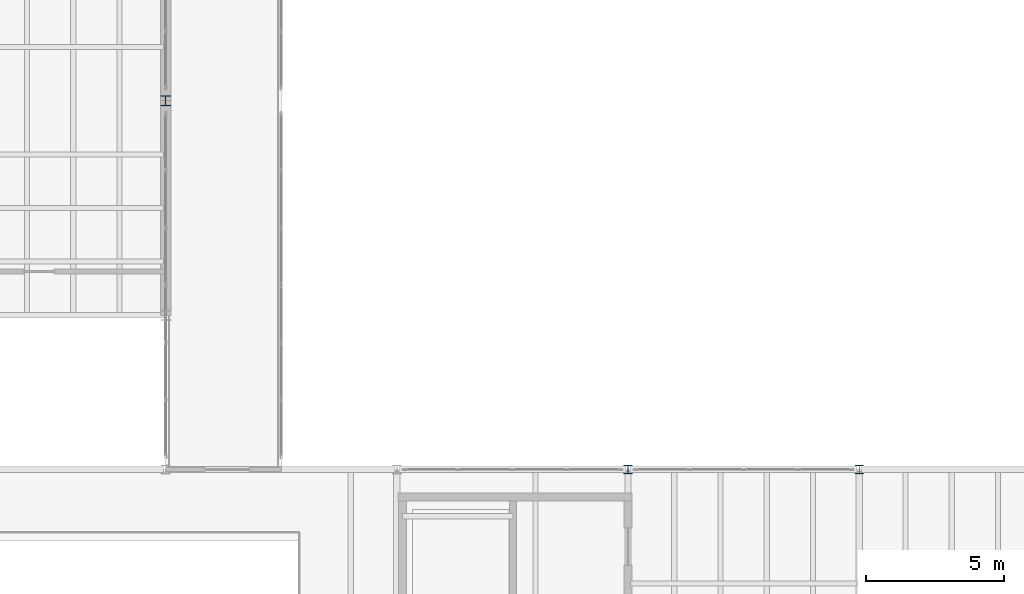
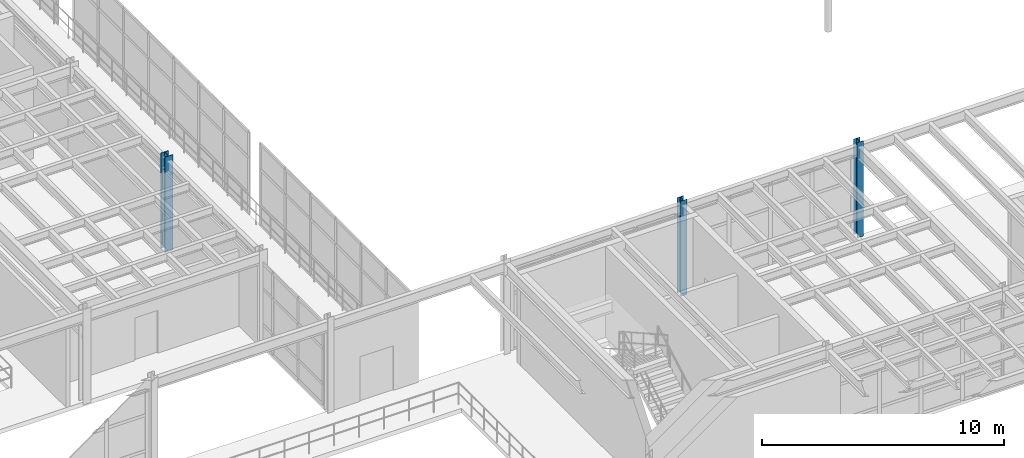
# One storey, part 7 of 116: 3 columns.
"""IFC4 building model written with IfcOpenShell, lengths in metres."""

from ifc_helpers import new_model, si_unit, direction, frame, origin, origin_2d, place, context, subcontext, project, spatial, i_section, extrude, material, material_profile, profile_set, type_object, element, save


model = new_model("IFC4")

# Units and contexts
model_context = context("Model", 3, precision=1e-05, world=origin(), true_north=direction((0.0, 1.0)))
body_context = subcontext(model_context, "Body", "Model", "MODEL_VIEW")
ifc_project = project(units=[si_unit("LENGTHUNIT", "METRE"), si_unit("AREAUNIT", "SQUARE_METRE"), si_unit("VOLUMEUNIT", "CUBIC_METRE"), si_unit("PLANEANGLEUNIT", "RADIAN"), si_unit("MASSUNIT", "GRAM", prefix="KILO")], contexts=[model_context])

# Site, building, storey
site_placement = place(None, origin())
site = spatial("IfcSite", under=ifc_project, at=site_placement, CompositionType="ELEMENT")
building_placement = place(site_placement, origin())
building = spatial("IfcBuilding", under=site, at=building_placement, Name="Selat Folded Stagehouse", CompositionType="ELEMENT")
storey_placement = place(building_placement, frame((0.0, 0.0, 5.39990234375)))
storey = spatial("IfcBuildingStorey", under=building, at=storey_placement, Name="L01", CompositionType="ELEMENT", Elevation=5.39990234375)

# Columns
ifc_material = material(Name="Steel S355", Category="steel")
ifc_material_profile_1 = material_profile(ifc_material, i_section(OverallWidth=0.305419921875, OverallDepth=0.307861328125, WebThickness=0.010009765625, FlangeThickness=0.015380859375, FilletRadius=0.01513671875, at=origin_2d()), Name="UKC 305x305x97")
ifc_profile_set_1 = profile_set([ifc_material_profile_1], Name="Steel S355")
column_type_1 = type_object("IfcColumnType", Name="COL-UKC-305x305x97", PredefinedType="COLUMN", material=ifc_profile_set_1)
for number, where, z_axis, x_axis, name in (
    (1, (84.0, 17.800048828125, 0.0), (0.0, 0.0, 1.0), (1.0, 0.0, 0.0), "L01 column STK-V5-84-178"),
    (2, (92.39990234375, 17.800048828125, 0.0), (0.0, 0.0, 1.0), (1.0, 0.0, 0.0), "L01 column STK-V5-92-178"),
):
    element("IfcColumn", number, at=place(storey_placement, frame(where, z_axis=z_axis, x_axis=x_axis)), inside=storey, type_object=column_type_1, Name=name, PredefinedType="COLUMN", context=body_context, shape_type="SweptSolid", body=[
        extrude(i_section(OverallWidth=0.305419921875, OverallDepth=0.307861328125, WebThickness=0.010009765625, FlangeThickness=0.015380859375, FilletRadius=0.01513671875, at=origin_2d()), origin(), (0.0, 0.0, 1.0), 4.800048828125),
    ])
ifc_material_profile_2 = material_profile(ifc_material, i_section(OverallWidth=0.37255859375, OverallDepth=0.3681640625, WebThickness=0.014404296875, FlangeThickness=0.023681640625, FilletRadius=0.01513671875, at=origin_2d()), Name="UKC 356x368x177")
ifc_profile_set_2 = profile_set([ifc_material_profile_2], Name="Steel S355")
column_type_2 = type_object("IfcColumnType", Name="COL-UKC-356x368x177", PredefinedType="COLUMN", material=ifc_profile_set_2)
column_placement = place(storey_placement, frame((67.199951171875, 31.199951171875, 0.0), z_axis=(0.0, 0.0, 1.0), x_axis=(1.0, 0.0, 0.0)))
element("IfcColumn", 3, at=column_placement, inside=storey, type_object=column_type_2, Name="L01 column STK-V2-22", PredefinedType="COLUMN", context=body_context, shape_type="SweptSolid", body=[
    extrude(i_section(OverallWidth=0.37255859375, OverallDepth=0.3681640625, WebThickness=0.014404296875, FlangeThickness=0.023681640625, FilletRadius=0.01513671875, at=origin_2d()), origin(), (0.0, 0.0, 1.0), 4.800048828125),
])

save(model, "model.ifc")
